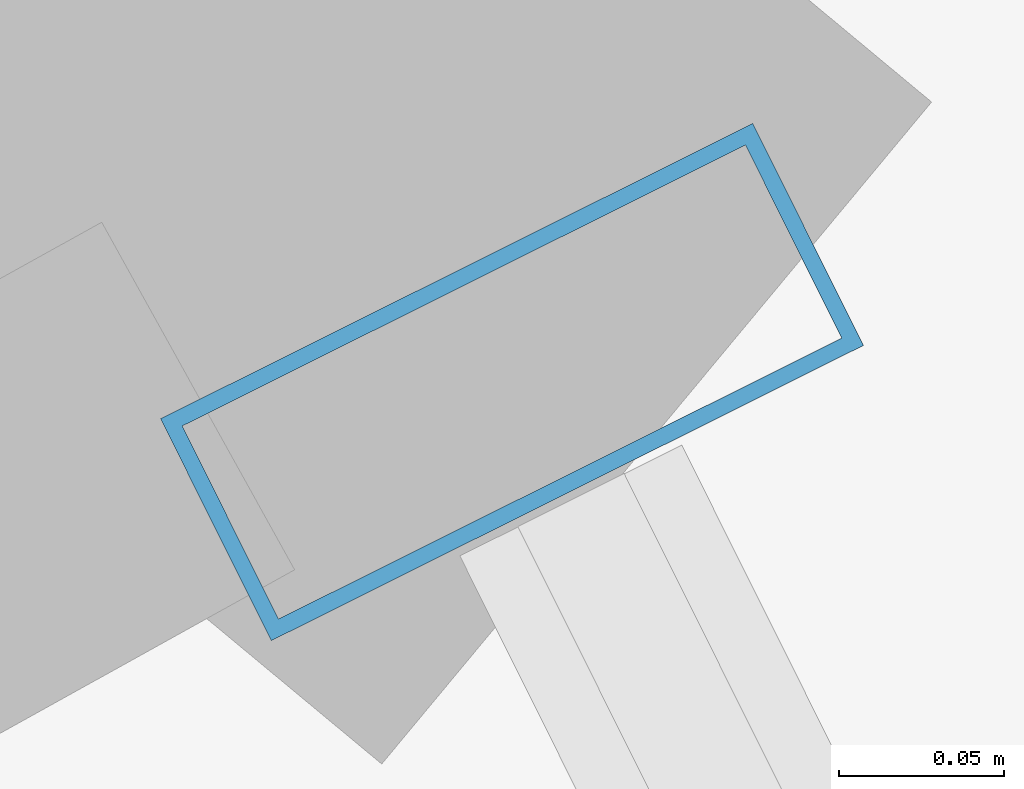
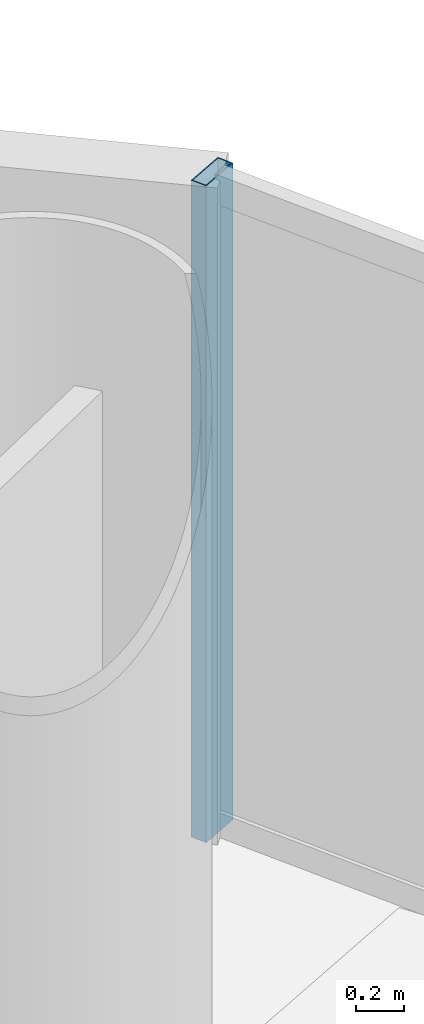
# One storey, part 19 of 28: 1 member, 1 element without a shape of its own.
"""IFC4 building model written with IfcOpenShell, lengths in metres."""

from ifc_helpers import new_model, si_unit, direction, frame, origin, origin_2d, place, context, subcontext, project, spatial, hollow_rectangle, extrude, source, transform, mapped, material, material_profile, profile_set, type_object, element, aggregate, save


model = new_model("IFC4")

# Units and contexts
model_context = context("Model", 3, precision=1e-05, world=origin(), true_north=direction((-0.2419218956, 0.970295726276)))
body_context = subcontext(model_context, "Body", "Model", "MODEL_VIEW")
ifc_project = project(units=[si_unit("LENGTHUNIT", "METRE"), si_unit("AREAUNIT", "SQUARE_METRE"), si_unit("VOLUMEUNIT", "CUBIC_METRE"), si_unit("PLANEANGLEUNIT", "RADIAN"), si_unit("MASSUNIT", "GRAM", prefix="KILO")], contexts=[model_context])

# Site, building, storey
site_placement = place(None, origin())
site = spatial("IfcSite", under=ifc_project, at=site_placement, CompositionType="ELEMENT")
building_placement = place(site_placement, origin())
building = spatial("IfcBuilding", under=site, at=building_placement, Name="Cobrevalo Terracotta Tower", CompositionType="ELEMENT")
storey_placement = place(building_placement, frame((0.0, 0.0, 101.39990234375)))
storey = spatial("IfcBuildingStorey", under=building, at=storey_placement, Name="L26", CompositionType="ELEMENT", Elevation=101.39990234375)

# Curtain wall, member
ifc_material = material(Name="Anodized aluminium", Category="aluminium")
curtain_wall_type = type_object("IfcCurtainWallType", Name="Lower-tower unitised acoustic low-E curtain wall CW-U1", PredefinedType="NOTDEFINED", material=ifc_material)
curtain_wall_placement = place(storey_placement, origin())
curtain_wall = element("IfcCurtainWall", 1, at=curtain_wall_placement, inside=storey, type_object=curtain_wall_type, Name="L26 curtain wall CW-L26-S01", PredefinedType="NOTDEFINED")
ifc_material_profile = material_profile(ifc_material, hollow_rectangle(XDim=0.074951171875, YDim=0.199951171875, WallThickness=0.0048828125, at=origin_2d()), Name="CWM 75x200")
ifc_profile_set = profile_set([ifc_material_profile], Name="Anodized aluminium")
member_type = type_object("IfcMemberType", Name="Lower/mid tower unitised mullion 75x200", PredefinedType="MULLION", material=ifc_profile_set)
shared_shape = source(origin(), body_context, "Body", "SweptSolid", [
    extrude(hollow_rectangle(XDim=0.074951171875, YDim=0.199951171875, WallThickness=0.0048828125, at=origin_2d()), origin(), (0.0, 0.0, 1.0), 3.3251953125),
])
member_placement = place(storey_placement, frame((60.110107421875, 39.025634765625, 0.0), z_axis=(0.0, 0.0, 1.0), x_axis=(-0.446260290227, 0.894903208937, 0.0)))
member = element("IfcMember", 2, at=member_placement, type_object=member_type, Name="CW-L26-S01 vertical mullion 03", PredefinedType="MULLION", context=body_context, shape_type="MappedRepresentation", body=[
    mapped(shared_shape, transform((0.0, 0.0, 0.0), scale=1.0)),
])
aggregate(curtain_wall, [member])

save(model, "model.ifc")
